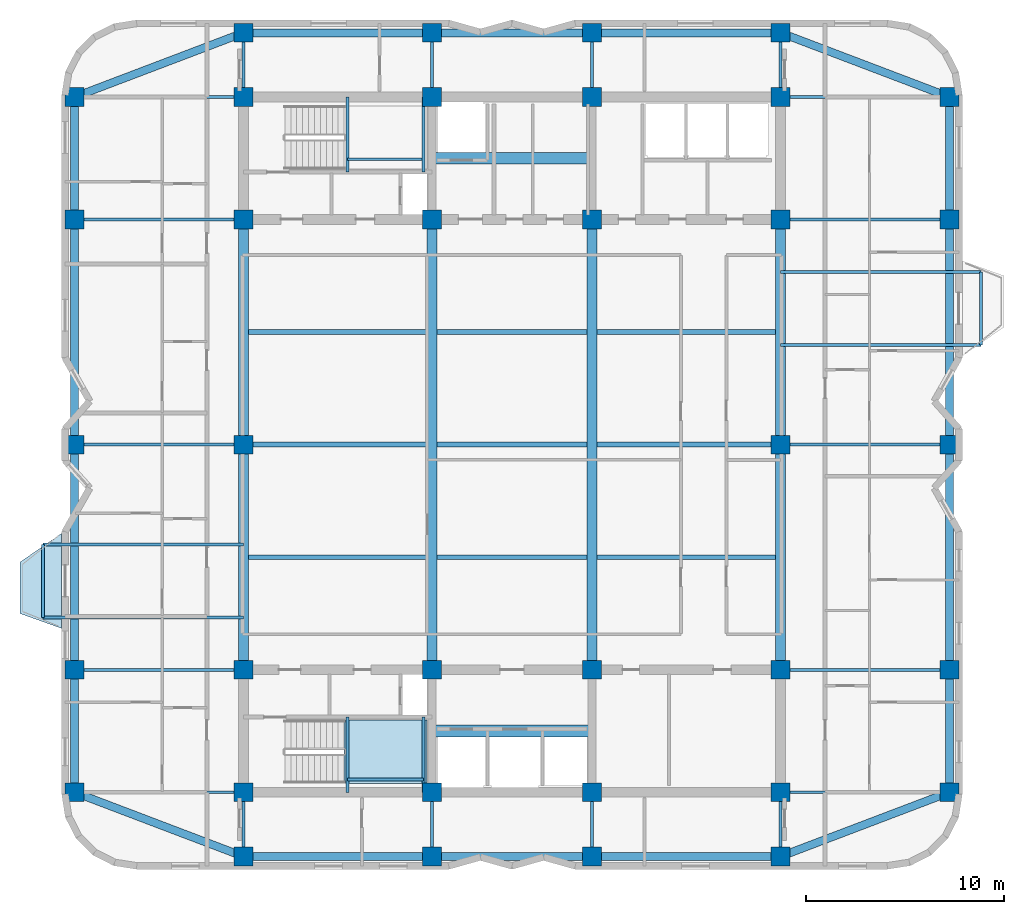
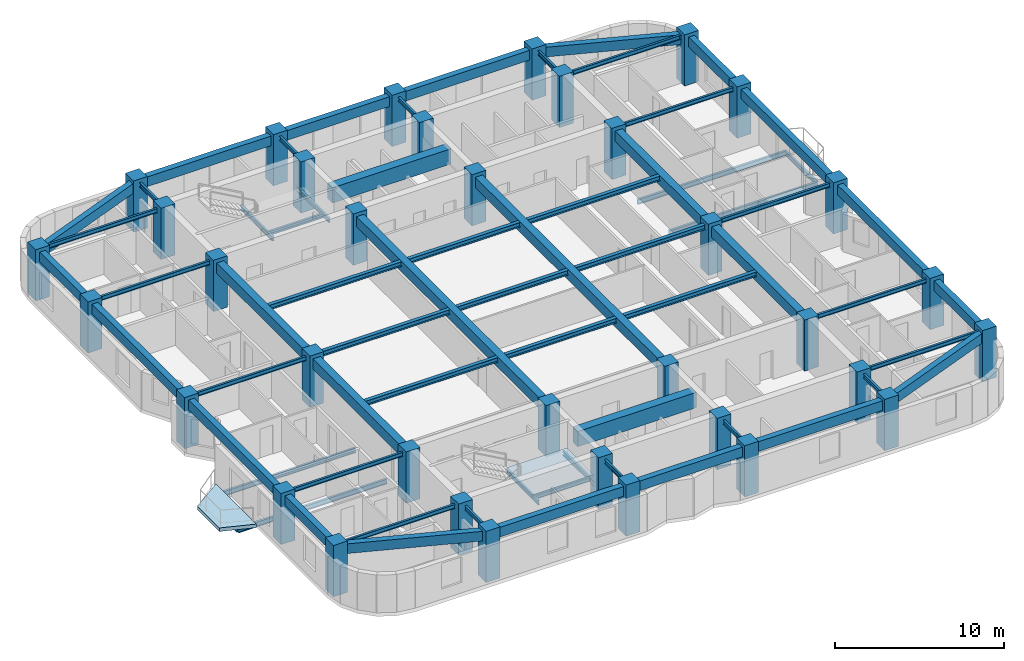
# One storey, part 1 of 9: 65 beams, 36 columns, 2 slabs, 1 element without a shape of its own.
"""IFC4 building model written with IfcOpenShell, lengths in metres."""

from ifc_helpers import new_model, si_unit, direction, frame, origin, origin_2d, place, context, subcontext, project, spatial, polyline, rectangle, i_section, outline, extrude, material, layer, layer_set, material_profile, profile_set, type_object, element, aggregate, save


model = new_model("IFC4")

# Units and contexts
model_context = context("Model", 3, precision=1e-05, world=origin(), true_north=direction((0.0, 1.0)))
body_context = subcontext(model_context, "Body", "Model", "MODEL_VIEW")
ifc_project = project(units=[si_unit("LENGTHUNIT", "METRE"), si_unit("AREAUNIT", "SQUARE_METRE"), si_unit("VOLUMEUNIT", "CUBIC_METRE"), si_unit("PLANEANGLEUNIT", "RADIAN"), si_unit("MASSUNIT", "GRAM", prefix="KILO")], contexts=[model_context])

# Site, building, storey
site_placement = place(None, origin())
site = spatial("IfcSite", under=ifc_project, at=site_placement, CompositionType="ELEMENT")
building_placement = place(site_placement, origin())
building = spatial("IfcBuilding", under=site, at=building_placement, Name="Svetorya Sky Lyceum", CompositionType="ELEMENT")
storey_placement = place(building_placement, frame((0.0, 0.0, 170.0)))
storey = spatial("IfcBuildingStorey", under=building, at=storey_placement, Name="L42", CompositionType="ELEMENT", Elevation=170.0)

# Columns
ifc_material_1 = material(Name="Concrete C50/60", Category="concrete")
ifc_material_profile_1 = material_profile(ifc_material_1, rectangle(XDim=0.949951171875, YDim=0.949951171875, at=origin_2d()), Name="RC COL 950x950")
ifc_profile_set_1 = profile_set([ifc_material_profile_1], Name="Concrete C50/60")
column_type = type_object("IfcColumnType", Name="COL-RC-950", PredefinedType="COLUMN", material=ifc_profile_set_1)
for number, where, z_axis, x_axis, name in (
    (1, (25.60009765625, 10.60009765625, 0.0), (0.0, 0.0, 1.0), (1.0, 0.0, 0.0), "L42 Core Column CS-11"),
    (2, (25.60009765625, 16.800048828125, 0.0), (0.0, 0.0, 1.0), (1.0, 0.0, 0.0), "L42 Core Column CS-12"),
    (3, (35.14990234375, 10.60009765625, 0.0), (0.0, 0.0, 1.0), (1.0, 0.0, 0.0), "L42 Core Column CS-21"),
    (4, (35.14990234375, 16.800048828125, 0.0), (0.0, 0.0, 1.0), (1.0, 0.0, 0.0), "L42 Core Column CS-22"),
    (5, (43.25, 10.60009765625, 0.0), (0.0, 0.0, 1.0), (1.0, 0.0, 0.0), "L42 Core Column CS-31"),
    (6, (43.25, 16.800048828125, 0.0), (0.0, 0.0, 1.0), (1.0, 0.0, 0.0), "L42 Core Column CS-32"),
    (7, (52.800048828125, 10.60009765625, 0.0), (0.0, 0.0, 1.0), (1.0, 0.0, 0.0), "L42 Core Column CS-41"),
    (8, (52.800048828125, 16.800048828125, 0.0), (0.0, 0.0, 1.0), (1.0, 0.0, 0.0), "L42 Core Column CS-42"),
    (9, (25.60009765625, 39.60009765625, 0.0), (0.0, 0.0, 1.0), (1.0, 0.0, 0.0), "L42 Core Column CN-11"),
    (10, (25.60009765625, 45.800048828125, 0.0), (0.0, 0.0, 1.0), (1.0, 0.0, 0.0), "L42 Core Column CN-12"),
    (11, (35.14990234375, 39.60009765625, 0.0), (0.0, 0.0, 1.0), (1.0, 0.0, 0.0), "L42 Core Column CN-21"),
    (12, (35.14990234375, 45.800048828125, 0.0), (0.0, 0.0, 1.0), (1.0, 0.0, 0.0), "L42 Core Column CN-22"),
    (13, (43.25, 39.60009765625, 0.0), (0.0, 0.0, 1.0), (1.0, 0.0, 0.0), "L42 Core Column CN-31"),
    (14, (43.25, 45.800048828125, 0.0), (0.0, 0.0, 1.0), (1.0, 0.0, 0.0), "L42 Core Column CN-32"),
    (15, (52.800048828125, 39.60009765625, 0.0), (0.0, 0.0, 1.0), (1.0, 0.0, 0.0), "L42 Core Column CN-41"),
    (16, (52.800048828125, 45.800048828125, 0.0), (0.0, 0.0, 1.0), (1.0, 0.0, 0.0), "L42 Core Column CN-42"),
    (17, (25.60009765625, 28.199951171875, 0.0), (0.0, 0.0, 1.0), (1.0, 0.0, 0.0), "L42 Core Column CM-W"),
    (18, (52.800048828125, 28.199951171875, 0.0), (0.0, 0.0, 1.0), (1.0, 0.0, 0.0), "L42 Core Column CM-E"),
    (19, (25.60009765625, 7.35009765625, 0.0), (0.0, 0.0, 1.0), (1.0, 0.0, 0.0), "L42 Perimeter Column S1"),
    (20, (25.60009765625, 49.050048828125, 0.0), (0.0, 0.0, 1.0), (1.0, 0.0, 0.0), "L42 Perimeter Column N1"),
    (21, (35.14990234375, 7.35009765625, 0.0), (0.0, 0.0, 1.0), (1.0, 0.0, 0.0), "L42 Perimeter Column S2"),
    (22, (35.14990234375, 49.050048828125, 0.0), (0.0, 0.0, 1.0), (1.0, 0.0, 0.0), "L42 Perimeter Column N2"),
    (23, (43.25, 7.35009765625, 0.0), (0.0, 0.0, 1.0), (1.0, 0.0, 0.0), "L42 Perimeter Column S3"),
    (24, (43.25, 49.050048828125, 0.0), (0.0, 0.0, 1.0), (1.0, 0.0, 0.0), "L42 Perimeter Column N3"),
    (25, (52.800048828125, 7.35009765625, 0.0), (0.0, 0.0, 1.0), (1.0, 0.0, 0.0), "L42 Perimeter Column S4"),
    (26, (52.800048828125, 49.050048828125, 0.0), (0.0, 0.0, 1.0), (1.0, 0.0, 0.0), "L42 Perimeter Column N4"),
    (27, (17.050048828125, 10.60009765625, 0.0), (0.0, 0.0, 1.0), (1.0, 0.0, 0.0), "L42 Perimeter Column W1"),
    (28, (61.35009765625, 10.60009765625, 0.0), (0.0, 0.0, 1.0), (1.0, 0.0, 0.0), "L42 Perimeter Column E1"),
    (29, (17.050048828125, 16.800048828125, 0.0), (0.0, 0.0, 1.0), (1.0, 0.0, 0.0), "L42 Perimeter Column W2"),
    (30, (61.35009765625, 16.800048828125, 0.0), (0.0, 0.0, 1.0), (1.0, 0.0, 0.0), "L42 Perimeter Column E2"),
    (31, (17.050048828125, 28.199951171875, 0.0), (0.0, 0.0, 1.0), (1.0, 0.0, 0.0), "L42 Perimeter Column W3"),
    (32, (61.35009765625, 28.199951171875, 0.0), (0.0, 0.0, 1.0), (1.0, 0.0, 0.0), "L42 Perimeter Column E3"),
    (33, (17.050048828125, 39.60009765625, 0.0), (0.0, 0.0, 1.0), (1.0, 0.0, 0.0), "L42 Perimeter Column W4"),
    (34, (61.35009765625, 39.60009765625, 0.0), (0.0, 0.0, 1.0), (1.0, 0.0, 0.0), "L42 Perimeter Column E4"),
    (35, (17.050048828125, 45.800048828125, 0.0), (0.0, 0.0, 1.0), (1.0, 0.0, 0.0), "L42 Perimeter Column W5"),
    (36, (61.35009765625, 45.800048828125, 0.0), (0.0, 0.0, 1.0), (1.0, 0.0, 0.0), "L42 Perimeter Column E5"),
):
    element("IfcColumn", number, at=place(storey_placement, frame(where, z_axis=z_axis, x_axis=x_axis)), inside=storey, type_object=column_type, Name=name, PredefinedType="COLUMN", context=body_context, shape_type="SweptSolid", body=[
        extrude(rectangle(XDim=0.949951171875, YDim=0.949951171875, at=origin_2d()), origin(), (0.0, 0.0, 1.0), 3.699951171875),
    ])

# Beams
ifc_material_2 = material(Name="Concrete C60/75", Category="concrete")
ifc_material_profile_2 = material_profile(ifc_material_2, rectangle(XDim=0.60009765625, YDim=1.10009765625, at=origin_2d()), Name="RC COUPLING 600x1100")
ifc_profile_set_2 = profile_set([ifc_material_profile_2], Name="Concrete C60/75")
beam_type_1 = type_object("IfcBeamType", Name="BM-CPL-1100", PredefinedType="LINTEL", material=ifc_profile_set_2)
for number, where, z_axis, x_axis, name in (
    (37, (35.14990234375, 13.699951171875, 2.889892578125), (1.0, 0.0, 0.0), (0.0, 1.0, 0.0), "L42 SC Core Coupling Beam"),
    (38, (35.14990234375, 42.699951171875, 2.889892578125), (1.0, 0.0, 0.0), (0.0, 1.0, 0.0), "L42 NC Core Coupling Beam"),
):
    element("IfcBeam", number, at=place(storey_placement, frame(where, z_axis=z_axis, x_axis=x_axis)), inside=storey, type_object=beam_type_1, Name=name, PredefinedType="LINTEL", context=body_context, shape_type="SweptSolid", body=[
        extrude(rectangle(XDim=0.60009765625, YDim=1.10009765625, at=origin_2d()), origin(), (0.0, 0.0, 1.0), 8.10009765625),
    ])
ifc_material_profile_3 = material_profile(ifc_material_1, rectangle(XDim=0.5, YDim=0.75, at=origin_2d()), Name="RC BEAM 500x750")
ifc_profile_set_3 = profile_set([ifc_material_profile_3], Name="Concrete C50/60")
beam_type_2 = type_object("IfcBeamType", Name="BM-RC-750", PredefinedType="BEAM", material=ifc_profile_set_3)
beam_1_placement = place(storey_placement, frame((25.60009765625, 16.800048828125, 3.06494140625), z_axis=(0.0, 1.0, 0.0), x_axis=(-1.0, 0.0, 0.0)))
element("IfcBeam", 39, at=beam_1_placement, inside=storey, type_object=beam_type_2, Name="L42 Central Bay Primary Girder CG-1A", PredefinedType="BEAM", context=body_context, shape_type="SweptSolid", body=[
    extrude(rectangle(XDim=0.5, YDim=0.75, at=origin_2d()), origin(), (0.0, 0.0, 1.0), 11.39990234375),
])
beam_2_placement = place(storey_placement, frame((25.60009765625, 28.199951171875, 3.06494140625), z_axis=(0.0, 1.0, 0.0), x_axis=(-1.0, 0.0, 0.0)))
element("IfcBeam", 40, at=beam_2_placement, inside=storey, type_object=beam_type_2, Name="L42 Central Bay Primary Girder CG-1B", PredefinedType="BEAM", context=body_context, shape_type="SweptSolid", body=[
    extrude(rectangle(XDim=0.5, YDim=0.75, at=origin_2d()), origin(), (0.0, 0.0, 1.0), 11.400146484375),
])
for number, where, z_axis, x_axis, name in (
    (41, (35.14990234375, 16.800048828125, 3.06494140625), (0.0, 1.0, 0.0), (-1.0, 0.0, 0.0), "L42 Central Bay Primary Girder CG-2"),
    (42, (43.25, 16.800048828125, 3.06494140625), (0.0, 1.0, 0.0), (-1.0, 0.0, 0.0), "L42 Central Bay Primary Girder CG-3"),
):
    element("IfcBeam", number, at=place(storey_placement, frame(where, z_axis=z_axis, x_axis=x_axis)), inside=storey, type_object=beam_type_2, Name=name, PredefinedType="BEAM", context=body_context, shape_type="SweptSolid", body=[
        extrude(rectangle(XDim=0.5, YDim=0.75, at=origin_2d()), origin(), (0.0, 0.0, 1.0), 22.800048828125),
    ])
beam_3_placement = place(storey_placement, frame((52.800048828125, 16.800048828125, 3.06494140625), z_axis=(0.0, 1.0, 0.0), x_axis=(-1.0, 0.0, 0.0)))
element("IfcBeam", 43, at=beam_3_placement, inside=storey, type_object=beam_type_2, Name="L42 Central Bay Primary Girder CG-4A", PredefinedType="BEAM", context=body_context, shape_type="SweptSolid", body=[
    extrude(rectangle(XDim=0.5, YDim=0.75, at=origin_2d()), origin(), (0.0, 0.0, 1.0), 11.39990234375),
])
beam_4_placement = place(storey_placement, frame((52.800048828125, 28.199951171875, 3.06494140625), z_axis=(0.0, 1.0, 0.0), x_axis=(-1.0, 0.0, 0.0)))
element("IfcBeam", 44, at=beam_4_placement, inside=storey, type_object=beam_type_2, Name="L42 Central Bay Primary Girder CG-4B", PredefinedType="BEAM", context=body_context, shape_type="SweptSolid", body=[
    extrude(rectangle(XDim=0.5, YDim=0.75, at=origin_2d()), origin(), (0.0, 0.0, 1.0), 11.400146484375),
])
ifc_material_profile_4 = material_profile(ifc_material_1, rectangle(XDim=0.39990234375, YDim=0.699951171875, at=origin_2d()), Name="RC SPANDREL 400x700")
ifc_profile_set_4 = profile_set([ifc_material_profile_4], Name="Concrete C50/60")
beam_type_3 = type_object("IfcBeamType", Name="BM-SPN-700", PredefinedType="SPANDREL", material=ifc_profile_set_4)
beam_5_placement = place(storey_placement, frame((25.60009765625, 7.35009765625, 3.090087890625), z_axis=(1.0, 0.0, 0.0), x_axis=(0.0, 1.0, 0.0)))
element("IfcBeam", 45, at=beam_5_placement, inside=storey, type_object=beam_type_3, Name="L42 South Spandrel 1", PredefinedType="SPANDREL", context=body_context, shape_type="SweptSolid", body=[
    extrude(rectangle(XDim=0.39990234375, YDim=0.699951171875, at=origin_2d()), origin(), (0.0, 0.0, 1.0), 9.5498046875),
])
beam_6_placement = place(storey_placement, frame((35.14990234375, 7.35009765625, 3.090087890625), z_axis=(1.0, 0.0, 0.0), x_axis=(0.0, 1.0, 0.0)))
element("IfcBeam", 46, at=beam_6_placement, inside=storey, type_object=beam_type_3, Name="L42 South Spandrel 2", PredefinedType="SPANDREL", context=body_context, shape_type="SweptSolid", body=[
    extrude(rectangle(XDim=0.39990234375, YDim=0.699951171875, at=origin_2d()), origin(), (0.0, 0.0, 1.0), 8.10009765625),
])
beam_7_placement = place(storey_placement, frame((43.25, 7.35009765625, 3.090087890625), z_axis=(1.0, 0.0, 0.0), x_axis=(0.0, 1.0, 0.0)))
element("IfcBeam", 47, at=beam_7_placement, inside=storey, type_object=beam_type_3, Name="L42 South Spandrel 3", PredefinedType="SPANDREL", context=body_context, shape_type="SweptSolid", body=[
    extrude(rectangle(XDim=0.39990234375, YDim=0.699951171875, at=origin_2d()), origin(), (0.0, 0.0, 1.0), 9.550048828125),
])
beam_8_placement = place(storey_placement, frame((25.60009765625, 49.050048828125, 3.090087890625), z_axis=(1.0, 0.0, 0.0), x_axis=(0.0, 1.0, 0.0)))
element("IfcBeam", 48, at=beam_8_placement, inside=storey, type_object=beam_type_3, Name="L42 North Spandrel 1", PredefinedType="SPANDREL", context=body_context, shape_type="SweptSolid", body=[
    extrude(rectangle(XDim=0.39990234375, YDim=0.699951171875, at=origin_2d()), origin(), (0.0, 0.0, 1.0), 9.5498046875),
])
beam_9_placement = place(storey_placement, frame((35.14990234375, 49.050048828125, 3.090087890625), z_axis=(1.0, 0.0, 0.0), x_axis=(0.0, 1.0, 0.0)))
element("IfcBeam", 49, at=beam_9_placement, inside=storey, type_object=beam_type_3, Name="L42 North Spandrel 2", PredefinedType="SPANDREL", context=body_context, shape_type="SweptSolid", body=[
    extrude(rectangle(XDim=0.39990234375, YDim=0.699951171875, at=origin_2d()), origin(), (0.0, 0.0, 1.0), 8.10009765625),
])
beam_10_placement = place(storey_placement, frame((43.25, 49.050048828125, 3.090087890625), z_axis=(1.0, 0.0, 0.0), x_axis=(0.0, 1.0, 0.0)))
element("IfcBeam", 50, at=beam_10_placement, inside=storey, type_object=beam_type_3, Name="L42 North Spandrel 3", PredefinedType="SPANDREL", context=body_context, shape_type="SweptSolid", body=[
    extrude(rectangle(XDim=0.39990234375, YDim=0.699951171875, at=origin_2d()), origin(), (0.0, 0.0, 1.0), 9.550048828125),
])
for number, where, z_axis, x_axis, name in (
    (51, (25.60009765625, 7.35009765625, 3.090087890625), (-0.934747947367, 0.355311518099, 0.0), (-0.355311518099, -0.934747947367, 0.0), "L42 Corner Spandrel 1"),
    (52, (52.800048828125, 7.35009765625, 3.090087890625), (0.934747947367, 0.355311518099, 0.0), (-0.355311518099, 0.934747947367, 0.0), "L42 Corner Spandrel 2"),
    (53, (61.35009765625, 45.800048828125, 3.090087890625), (-0.934747947367, 0.355311518099, 0.0), (-0.355311518099, -0.934747947367, 0.0), "L42 Corner Spandrel 3"),
    (54, (17.050048828125, 45.800048828125, 3.090087890625), (0.934747947367, 0.355311518099, 0.0), (-0.355311518099, 0.934747947367, 0.0), "L42 Corner Spandrel 4"),
):
    element("IfcBeam", number, at=place(storey_placement, frame(where, z_axis=z_axis, x_axis=x_axis)), inside=storey, type_object=beam_type_3, Name=name, PredefinedType="SPANDREL", context=body_context, shape_type="SweptSolid", body=[
        extrude(rectangle(XDim=0.39990234375, YDim=0.699951171875, at=origin_2d()), origin(), (0.0, 0.0, 1.0), 9.14697265625),
    ])
beam_11_placement = place(storey_placement, frame((17.050048828125, 10.60009765625, 3.090087890625), z_axis=(0.0, 1.0, 0.0), x_axis=(-1.0, 0.0, 0.0)))
element("IfcBeam", 55, at=beam_11_placement, inside=storey, type_object=beam_type_3, Name="L42 West Spandrel 1", PredefinedType="SPANDREL", context=body_context, shape_type="SweptSolid", body=[
    extrude(rectangle(XDim=0.39990234375, YDim=0.699951171875, at=origin_2d()), origin(), (0.0, 0.0, 1.0), 6.199951171875),
])
beam_12_placement = place(storey_placement, frame((17.050048828125, 16.800048828125, 3.090087890625), z_axis=(0.0, 1.0, 0.0), x_axis=(-1.0, 0.0, 0.0)))
element("IfcBeam", 56, at=beam_12_placement, inside=storey, type_object=beam_type_3, Name="L42 West Spandrel 2", PredefinedType="SPANDREL", context=body_context, shape_type="SweptSolid", body=[
    extrude(rectangle(XDim=0.39990234375, YDim=0.699951171875, at=origin_2d()), origin(), (0.0, 0.0, 1.0), 11.39990234375),
])
beam_13_placement = place(storey_placement, frame((17.050048828125, 28.199951171875, 3.090087890625), z_axis=(0.0, 1.0, 0.0), x_axis=(-1.0, 0.0, 0.0)))
element("IfcBeam", 57, at=beam_13_placement, inside=storey, type_object=beam_type_3, Name="L42 West Spandrel 3", PredefinedType="SPANDREL", context=body_context, shape_type="SweptSolid", body=[
    extrude(rectangle(XDim=0.39990234375, YDim=0.699951171875, at=origin_2d()), origin(), (0.0, 0.0, 1.0), 11.400146484375),
])
for number, where, z_axis, x_axis, name in (
    (58, (17.050048828125, 39.60009765625, 3.090087890625), (0.0, 1.0, 0.0), (-1.0, 0.0, 0.0), "L42 West Spandrel 4"),
    (59, (61.35009765625, 10.60009765625, 3.090087890625), (0.0, 1.0, 0.0), (-1.0, 0.0, 0.0), "L42 East Spandrel 1"),
):
    element("IfcBeam", number, at=place(storey_placement, frame(where, z_axis=z_axis, x_axis=x_axis)), inside=storey, type_object=beam_type_3, Name=name, PredefinedType="SPANDREL", context=body_context, shape_type="SweptSolid", body=[
        extrude(rectangle(XDim=0.39990234375, YDim=0.699951171875, at=origin_2d()), origin(), (0.0, 0.0, 1.0), 6.199951171875),
    ])
beam_14_placement = place(storey_placement, frame((61.35009765625, 16.800048828125, 3.090087890625), z_axis=(0.0, 1.0, 0.0), x_axis=(-1.0, 0.0, 0.0)))
element("IfcBeam", 60, at=beam_14_placement, inside=storey, type_object=beam_type_3, Name="L42 East Spandrel 2", PredefinedType="SPANDREL", context=body_context, shape_type="SweptSolid", body=[
    extrude(rectangle(XDim=0.39990234375, YDim=0.699951171875, at=origin_2d()), origin(), (0.0, 0.0, 1.0), 11.39990234375),
])
beam_15_placement = place(storey_placement, frame((61.35009765625, 28.199951171875, 3.090087890625), z_axis=(0.0, 1.0, 0.0), x_axis=(-1.0, 0.0, 0.0)))
element("IfcBeam", 61, at=beam_15_placement, inside=storey, type_object=beam_type_3, Name="L42 East Spandrel 3", PredefinedType="SPANDREL", context=body_context, shape_type="SweptSolid", body=[
    extrude(rectangle(XDim=0.39990234375, YDim=0.699951171875, at=origin_2d()), origin(), (0.0, 0.0, 1.0), 11.400146484375),
])
beam_16_placement = place(storey_placement, frame((61.35009765625, 39.60009765625, 3.090087890625), z_axis=(0.0, 1.0, 0.0), x_axis=(-1.0, 0.0, 0.0)))
element("IfcBeam", 62, at=beam_16_placement, inside=storey, type_object=beam_type_3, Name="L42 East Spandrel 4", PredefinedType="SPANDREL", context=body_context, shape_type="SweptSolid", body=[
    extrude(rectangle(XDim=0.39990234375, YDim=0.699951171875, at=origin_2d()), origin(), (0.0, 0.0, 1.0), 6.199951171875),
])
ifc_material_3 = material(Name="Steel S355", Category="steel")
ifc_material_profile_5 = material_profile(ifc_material_3, i_section(OverallWidth=0.14990234375, OverallDepth=0.299072265625, WebThickness=0.006591796875, FlangeThickness=0.010498046875, at=origin_2d()), Name="GOST 30B2")
ifc_profile_set_5 = profile_set([ifc_material_profile_5], Name="Steel S355")
beam_type_4 = type_object("IfcBeamType", Name="BM-STL-30B2", PredefinedType="JOIST", material=ifc_profile_set_5)
for number, where, z_axis, x_axis, name in (
    (63, (15.449951171875, 19.449951171875, -0.4345703125), (0.0, 1.0, 0.0), (-1.0, 0.0, 0.0), "L42 Balcony Edge Tie BAL-W1"),
    (64, (62.949951171875, 33.25, -0.4345703125), (0.0, 1.0, 0.0), (-1.0, 0.0, 0.0), "L42 Balcony Edge Tie BAL-E1"),
):
    element("IfcBeam", number, at=place(storey_placement, frame(where, z_axis=z_axis, x_axis=x_axis)), inside=storey, type_object=beam_type_4, Name=name, PredefinedType="JOIST", context=body_context, shape_type="SweptSolid", body=[
        extrude(i_section(OverallWidth=0.14990234375, OverallDepth=0.299072265625, WebThickness=0.006591796875, FlangeThickness=0.010498046875, at=origin_2d()), origin(), (0.0, 0.0, 1.0), 3.699951171875),
    ])
for number, where, z_axis, x_axis, name in (
    (65, (17.050048828125, 10.60009765625, 3.29052734375), (1.0, 0.0, 0.0), (0.0, 1.0, 0.0), "L42 West Wing Floor Joist W1"),
    (66, (52.800048828125, 10.60009765625, 3.29052734375), (1.0, 0.0, 0.0), (0.0, 1.0, 0.0), "L42 East Wing Floor Joist E1"),
    (67, (17.050048828125, 16.800048828125, 3.29052734375), (1.0, 0.0, 0.0), (0.0, 1.0, 0.0), "L42 West Wing Floor Joist W2"),
    (68, (52.800048828125, 16.800048828125, 3.29052734375), (1.0, 0.0, 0.0), (0.0, 1.0, 0.0), "L42 East Wing Floor Joist E2"),
    (69, (17.050048828125, 28.199951171875, 3.29052734375), (1.0, 0.0, 0.0), (0.0, 1.0, 0.0), "L42 West Wing Floor Joist W3"),
    (70, (52.800048828125, 28.199951171875, 3.29052734375), (1.0, 0.0, 0.0), (0.0, 1.0, 0.0), "L42 East Wing Floor Joist E3"),
    (71, (17.050048828125, 39.60009765625, 3.29052734375), (1.0, 0.0, 0.0), (0.0, 1.0, 0.0), "L42 West Wing Floor Joist W4"),
    (72, (52.800048828125, 39.60009765625, 3.29052734375), (1.0, 0.0, 0.0), (0.0, 1.0, 0.0), "L42 East Wing Floor Joist E4"),
    (73, (17.050048828125, 45.800048828125, 3.29052734375), (1.0, 0.0, 0.0), (0.0, 1.0, 0.0), "L42 West Wing Floor Joist W5"),
    (74, (52.800048828125, 45.800048828125, 3.29052734375), (1.0, 0.0, 0.0), (0.0, 1.0, 0.0), "L42 East Wing Floor Joist E5"),
):
    element("IfcBeam", number, at=place(storey_placement, frame(where, z_axis=z_axis, x_axis=x_axis)), inside=storey, type_object=beam_type_4, Name=name, PredefinedType="JOIST", context=body_context, shape_type="SweptSolid", body=[
        extrude(i_section(OverallWidth=0.14990234375, OverallDepth=0.299072265625, WebThickness=0.006591796875, FlangeThickness=0.010498046875, at=origin_2d()), origin(), (0.0, 0.0, 1.0), 8.550048828125),
    ])
for number, where, z_axis, x_axis, name in (
    (75, (25.60009765625, 7.35009765625, 3.29052734375), (0.0, 1.0, 0.0), (-1.0, 0.0, 0.0), "L42 South Bay Floor Girder S1"),
    (76, (25.60009765625, 45.800048828125, 3.29052734375), (0.0, 1.0, 0.0), (-1.0, 0.0, 0.0), "L42 North Bay Floor Girder N1"),
    (77, (35.14990234375, 7.35009765625, 3.29052734375), (0.0, 1.0, 0.0), (-1.0, 0.0, 0.0), "L42 South Bay Floor Girder S2"),
    (78, (35.14990234375, 45.800048828125, 3.29052734375), (0.0, 1.0, 0.0), (-1.0, 0.0, 0.0), "L42 North Bay Floor Girder N2"),
    (79, (43.25, 7.35009765625, 3.29052734375), (0.0, 1.0, 0.0), (-1.0, 0.0, 0.0), "L42 South Bay Floor Girder S3"),
    (80, (43.25, 45.800048828125, 3.29052734375), (0.0, 1.0, 0.0), (-1.0, 0.0, 0.0), "L42 North Bay Floor Girder N3"),
    (81, (52.800048828125, 7.35009765625, 3.29052734375), (0.0, 1.0, 0.0), (-1.0, 0.0, 0.0), "L42 South Bay Floor Girder S4"),
    (82, (52.800048828125, 45.800048828125, 3.29052734375), (0.0, 1.0, 0.0), (-1.0, 0.0, 0.0), "L42 North Bay Floor Girder N4"),
):
    element("IfcBeam", number, at=place(storey_placement, frame(where, z_axis=z_axis, x_axis=x_axis)), inside=storey, type_object=beam_type_4, Name=name, PredefinedType="JOIST", context=body_context, shape_type="SweptSolid", body=[
        extrude(i_section(OverallWidth=0.14990234375, OverallDepth=0.299072265625, WebThickness=0.006591796875, FlangeThickness=0.010498046875, at=origin_2d()), origin(), (0.0, 0.0, 1.0), 3.25),
    ])
for number, where, z_axis, x_axis, name in (
    (83, (30.8798828125, 10.60009765625, 1.50048828125), (0.0, 1.0, 0.0), (-1.0, 0.0, 0.0), "L42 Stair ST-S Half-Landing Support Beam 48.1"),
    (84, (34.719970703125, 10.60009765625, 1.50048828125), (0.0, 1.0, 0.0), (-1.0, 0.0, 0.0), "L42 Stair ST-S Half-Landing Support Beam 48.2"),
):
    element("IfcBeam", number, at=place(storey_placement, frame(where, z_axis=z_axis, x_axis=x_axis)), inside=storey, type_object=beam_type_4, Name=name, PredefinedType="JOIST", context=body_context, shape_type="SweptSolid", body=[
        extrude(i_section(OverallWidth=0.14990234375, OverallDepth=0.299072265625, WebThickness=0.006591796875, FlangeThickness=0.010498046875, at=origin_2d()), origin(), (0.0, 0.0, 1.0), 3.7998046875),
    ])
beam_17_placement = place(storey_placement, frame((30.8798828125, 11.25, 1.50048828125), z_axis=(1.0, 0.0, 0.0), x_axis=(0.0, 1.0, 0.0)))
element("IfcBeam", 85, at=beam_17_placement, inside=storey, type_object=beam_type_4, Name="L42 Stair ST-S Half-Landing Cross Tie 48", PredefinedType="JOIST", context=body_context, shape_type="SweptSolid", body=[
    extrude(i_section(OverallWidth=0.14990234375, OverallDepth=0.299072265625, WebThickness=0.006591796875, FlangeThickness=0.010498046875, at=origin_2d()), origin(), (0.0, 0.0, 1.0), 3.840087890625),
])
for number, where, z_axis, x_axis, name in (
    (86, (30.8798828125, 42.0, 1.50048828125), (0.0, 1.0, 0.0), (-1.0, 0.0, 0.0), "L42 Stair ST-N Half-Landing Support Beam 48.1"),
    (87, (34.719970703125, 42.0, 1.50048828125), (0.0, 1.0, 0.0), (-1.0, 0.0, 0.0), "L42 Stair ST-N Half-Landing Support Beam 48.2"),
):
    element("IfcBeam", number, at=place(storey_placement, frame(where, z_axis=z_axis, x_axis=x_axis)), inside=storey, type_object=beam_type_4, Name=name, PredefinedType="JOIST", context=body_context, shape_type="SweptSolid", body=[
        extrude(i_section(OverallWidth=0.14990234375, OverallDepth=0.299072265625, WebThickness=0.006591796875, FlangeThickness=0.010498046875, at=origin_2d()), origin(), (0.0, 0.0, 1.0), 3.800048828125),
    ])
beam_18_placement = place(storey_placement, frame((30.8798828125, 42.64990234375, 1.50048828125), z_axis=(1.0, 0.0, 0.0), x_axis=(0.0, 1.0, 0.0)))
element("IfcBeam", 88, at=beam_18_placement, inside=storey, type_object=beam_type_4, Name="L42 Stair ST-N Half-Landing Cross Tie 48", PredefinedType="JOIST", context=body_context, shape_type="SweptSolid", body=[
    extrude(i_section(OverallWidth=0.14990234375, OverallDepth=0.299072265625, WebThickness=0.006591796875, FlangeThickness=0.010498046875, at=origin_2d()), origin(), (0.0, 0.0, 1.0), 3.840087890625),
])
ifc_material_profile_6 = material_profile(ifc_material_3, i_section(OverallWidth=0.155029296875, OverallDepth=0.34912109375, WebThickness=0.007080078125, FlangeThickness=0.011474609375, at=origin_2d()), Name="GOST 35B2")
ifc_profile_set_6 = profile_set([ifc_material_profile_6], Name="Steel S355")
beam_type_5 = type_object("IfcBeamType", Name="BM-STL-35B2", PredefinedType="JOIST", material=ifc_profile_set_6)
for number, where, z_axis, x_axis, name in (
    (89, (25.60009765625, 19.449951171875, -0.4345703125), (-1.0, 0.0, 0.0), (0.0, -1.0, 0.0), "L42 Balcony Cantilever Beam BAL-W1-1"),
    (90, (25.60009765625, 23.14990234375, -0.4345703125), (-1.0, 0.0, 0.0), (0.0, -1.0, 0.0), "L42 Balcony Cantilever Beam BAL-W1-2"),
):
    element("IfcBeam", number, at=place(storey_placement, frame(where, z_axis=z_axis, x_axis=x_axis)), inside=storey, type_object=beam_type_5, Name=name, PredefinedType="JOIST", context=body_context, shape_type="SweptSolid", body=[
        extrude(i_section(OverallWidth=0.155029296875, OverallDepth=0.34912109375, WebThickness=0.007080078125, FlangeThickness=0.011474609375, at=origin_2d()), origin(), (0.0, 0.0, 1.0), 10.150146484375),
    ])
for number, where, z_axis, x_axis, name in (
    (91, (52.800048828125, 33.25, -0.4345703125), (1.0, 0.0, 0.0), (0.0, 1.0, 0.0), "L42 Balcony Cantilever Beam BAL-E1-1"),
    (92, (52.800048828125, 36.949951171875, -0.4345703125), (1.0, 0.0, 0.0), (0.0, 1.0, 0.0), "L42 Balcony Cantilever Beam BAL-E1-2"),
):
    element("IfcBeam", number, at=place(storey_placement, frame(where, z_axis=z_axis, x_axis=x_axis)), inside=storey, type_object=beam_type_5, Name=name, PredefinedType="JOIST", context=body_context, shape_type="SweptSolid", body=[
        extrude(i_section(OverallWidth=0.155029296875, OverallDepth=0.34912109375, WebThickness=0.007080078125, FlangeThickness=0.011474609375, at=origin_2d()), origin(), (0.0, 0.0, 1.0), 10.14990234375),
    ])
ifc_material_profile_7 = material_profile(ifc_material_3, i_section(OverallWidth=0.25, OverallDepth=0.345947265625, WebThickness=0.009521484375, FlangeThickness=0.014404296875, at=origin_2d()), Name="GOST 35Sh2")
ifc_profile_set_7 = profile_set([ifc_material_profile_7], Name="Steel S355")
beam_type_6 = type_object("IfcBeamType", Name="BM-STL-35SH2", PredefinedType="BEAM", material=ifc_profile_set_7)
beam_19_placement = place(storey_placement, frame((25.85009765625, 22.5, 3.26708984375), z_axis=(1.0, 0.0, 0.0), x_axis=(0.0, 1.0, 0.0)))
element("IfcBeam", 93, at=beam_19_placement, inside=storey, type_object=beam_type_6, Name="L42 Central Floor Joist CJ-1.1", PredefinedType="BEAM", context=body_context, shape_type="SweptSolid", body=[
    extrude(i_section(OverallWidth=0.25, OverallDepth=0.345947265625, WebThickness=0.009521484375, FlangeThickness=0.014404296875, at=origin_2d()), origin(), (0.0, 0.0, 1.0), 9.0498046875),
])
beam_20_placement = place(storey_placement, frame((35.39990234375, 22.5, 3.26708984375), z_axis=(1.0, 0.0, 0.0), x_axis=(0.0, 1.0, 0.0)))
element("IfcBeam", 94, at=beam_20_placement, inside=storey, type_object=beam_type_6, Name="L42 Central Floor Joist CJ-1.2", PredefinedType="BEAM", context=body_context, shape_type="SweptSolid", body=[
    extrude(i_section(OverallWidth=0.25, OverallDepth=0.345947265625, WebThickness=0.009521484375, FlangeThickness=0.014404296875, at=origin_2d()), origin(), (0.0, 0.0, 1.0), 7.60009765625),
])
beam_21_placement = place(storey_placement, frame((43.5, 22.5, 3.26708984375), z_axis=(1.0, 0.0, 0.0), x_axis=(0.0, 1.0, 0.0)))
element("IfcBeam", 95, at=beam_21_placement, inside=storey, type_object=beam_type_6, Name="L42 Central Floor Joist CJ-1.3", PredefinedType="BEAM", context=body_context, shape_type="SweptSolid", body=[
    extrude(i_section(OverallWidth=0.25, OverallDepth=0.345947265625, WebThickness=0.009521484375, FlangeThickness=0.014404296875, at=origin_2d()), origin(), (0.0, 0.0, 1.0), 9.050048828125),
])
beam_22_placement = place(storey_placement, frame((25.85009765625, 28.199951171875, 3.26708984375), z_axis=(1.0, 0.0, 0.0), x_axis=(0.0, 1.0, 0.0)))
element("IfcBeam", 96, at=beam_22_placement, inside=storey, type_object=beam_type_6, Name="L42 Central Floor Joist CJ-2.1", PredefinedType="BEAM", context=body_context, shape_type="SweptSolid", body=[
    extrude(i_section(OverallWidth=0.25, OverallDepth=0.345947265625, WebThickness=0.009521484375, FlangeThickness=0.014404296875, at=origin_2d()), origin(), (0.0, 0.0, 1.0), 9.0498046875),
])
beam_23_placement = place(storey_placement, frame((35.39990234375, 28.199951171875, 3.26708984375), z_axis=(1.0, 0.0, 0.0), x_axis=(0.0, 1.0, 0.0)))
element("IfcBeam", 97, at=beam_23_placement, inside=storey, type_object=beam_type_6, Name="L42 Central Floor Joist CJ-2.2", PredefinedType="BEAM", context=body_context, shape_type="SweptSolid", body=[
    extrude(i_section(OverallWidth=0.25, OverallDepth=0.345947265625, WebThickness=0.009521484375, FlangeThickness=0.014404296875, at=origin_2d()), origin(), (0.0, 0.0, 1.0), 7.60009765625),
])
beam_24_placement = place(storey_placement, frame((43.5, 28.199951171875, 3.26708984375), z_axis=(1.0, 0.0, 0.0), x_axis=(0.0, 1.0, 0.0)))
element("IfcBeam", 98, at=beam_24_placement, inside=storey, type_object=beam_type_6, Name="L42 Central Floor Joist CJ-2.3", PredefinedType="BEAM", context=body_context, shape_type="SweptSolid", body=[
    extrude(i_section(OverallWidth=0.25, OverallDepth=0.345947265625, WebThickness=0.009521484375, FlangeThickness=0.014404296875, at=origin_2d()), origin(), (0.0, 0.0, 1.0), 9.050048828125),
])
beam_25_placement = place(storey_placement, frame((25.85009765625, 33.89990234375, 3.26708984375), z_axis=(1.0, 0.0, 0.0), x_axis=(0.0, 1.0, 0.0)))
element("IfcBeam", 99, at=beam_25_placement, inside=storey, type_object=beam_type_6, Name="L42 Central Floor Joist CJ-3.1", PredefinedType="BEAM", context=body_context, shape_type="SweptSolid", body=[
    extrude(i_section(OverallWidth=0.25, OverallDepth=0.345947265625, WebThickness=0.009521484375, FlangeThickness=0.014404296875, at=origin_2d()), origin(), (0.0, 0.0, 1.0), 9.0498046875),
])
beam_26_placement = place(storey_placement, frame((35.39990234375, 33.89990234375, 3.26708984375), z_axis=(1.0, 0.0, 0.0), x_axis=(0.0, 1.0, 0.0)))
element("IfcBeam", 100, at=beam_26_placement, inside=storey, type_object=beam_type_6, Name="L42 Central Floor Joist CJ-3.2", PredefinedType="BEAM", context=body_context, shape_type="SweptSolid", body=[
    extrude(i_section(OverallWidth=0.25, OverallDepth=0.345947265625, WebThickness=0.009521484375, FlangeThickness=0.014404296875, at=origin_2d()), origin(), (0.0, 0.0, 1.0), 7.60009765625),
])
beam_27_placement = place(storey_placement, frame((43.5, 33.89990234375, 3.26708984375), z_axis=(1.0, 0.0, 0.0), x_axis=(0.0, 1.0, 0.0)))
element("IfcBeam", 101, at=beam_27_placement, inside=storey, type_object=beam_type_6, Name="L42 Central Floor Joist CJ-3.3", PredefinedType="BEAM", context=body_context, shape_type="SweptSolid", body=[
    extrude(i_section(OverallWidth=0.25, OverallDepth=0.345947265625, WebThickness=0.009521484375, FlangeThickness=0.014404296875, at=origin_2d()), origin(), (0.0, 0.0, 1.0), 9.050048828125),
])

# Slab
ifc_material_4 = material(Name="Concrete C40/50", Category="concrete")
ifc_layer_1 = layer(ifc_material_4, 0.260009765625)
ifc_layer_set_1 = layer_set([ifc_layer_1], Name="Concrete C40/50")
slab_type_1 = type_object("IfcSlabType", Name="SL-BAL-260", PredefinedType="FLOOR", material=ifc_layer_set_1)
slab_1_placement = place(storey_placement, frame((0.0, 0.0, -0.260009765625)))
element("IfcSlab", 102, at=slab_1_placement, inside=storey, type_object=slab_type_1, Name="L42 Chamfered Loggia Balcony BAL-W1", PredefinedType="FLOOR", context=body_context, shape_type="SweptSolid", body=[
    extrude(outline(polyline([(16.389892578125, 18.89990234375), (16.389892578125, 23.699951171875), (14.2900390625, 22.25), (14.2900390625, 19.64990234375), (16.389892578125, 18.89990234375)])), origin(), (0.0, 0.0, 1.0), 0.260009765625),
])

# Stair, slab
stair_type = type_object("IfcStairType", Name="STR-ST-S", PredefinedType="HALF_TURN_STAIR", material=ifc_material_4)
stair_placement = place(storey_placement, origin())
stair = element("IfcStair", 103, at=stair_placement, inside=storey, type_object=stair_type, Name="L42 South Core Smoke-Free Exit Stair N2", PredefinedType="HALF_TURN_STAIR")
ifc_layer_2 = layer(ifc_material_4, 0.199951171875)
ifc_layer_set_2 = layer_set([ifc_layer_2], Name="Concrete C40/50")
slab_type_2 = type_object("IfcSlabType", Name="SL-STR-LAND-200", PredefinedType="LANDING", material=ifc_layer_set_2)
slab_2_placement = place(storey_placement, frame((0.0, 0.0, 1.64990234375)))
slab_2 = element("IfcSlab", 104, at=slab_2_placement, type_object=slab_type_2, Name="ST-S landing 1", PredefinedType="LANDING", context=body_context, shape_type="SweptSolid", body=[
    extrude(outline(polyline([(30.699951171875, 11.050048828125), (34.89990234375, 11.050048828125), (34.89990234375, 14.25), (30.699951171875, 14.25), (30.699951171875, 11.050048828125)])), origin(), (0.0, 0.0, 1.0), 0.2001953125),
])
aggregate(stair, [slab_2])

save(model, "model.ifc")
